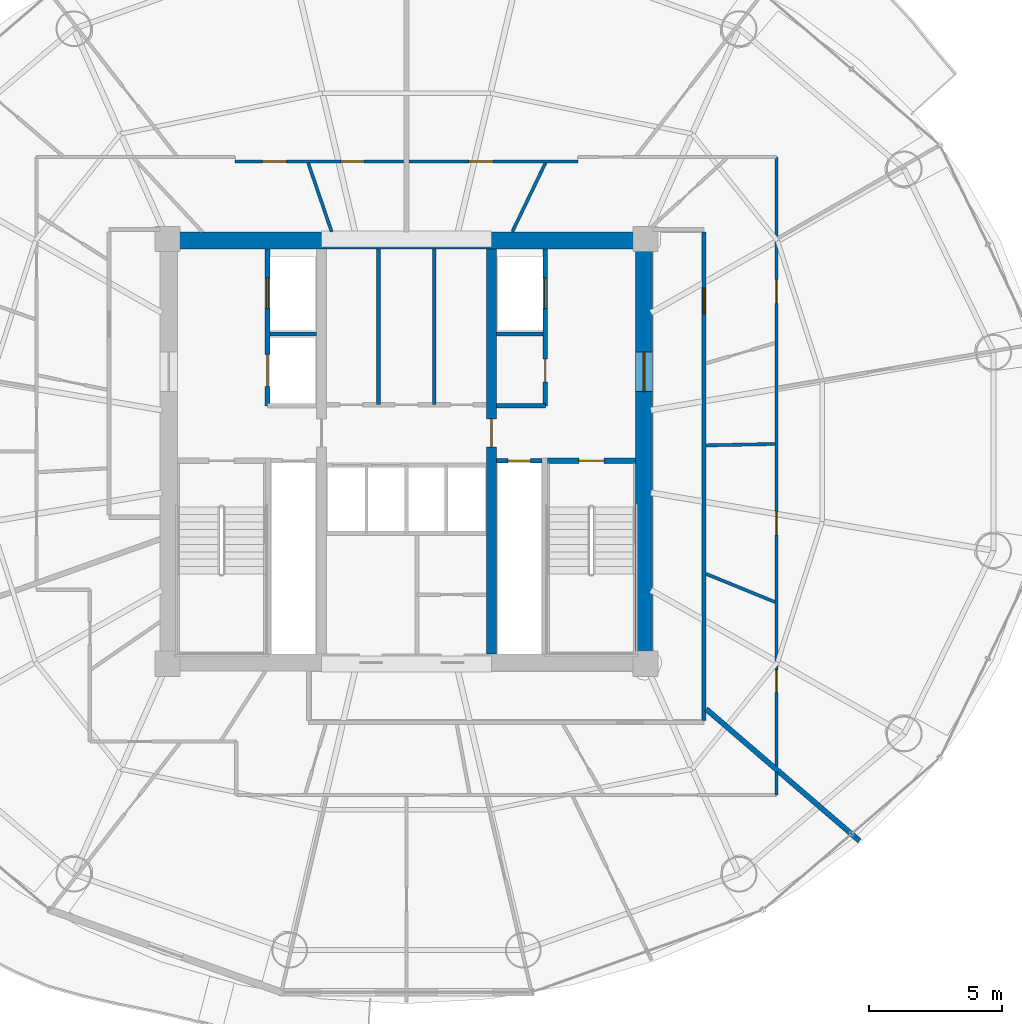
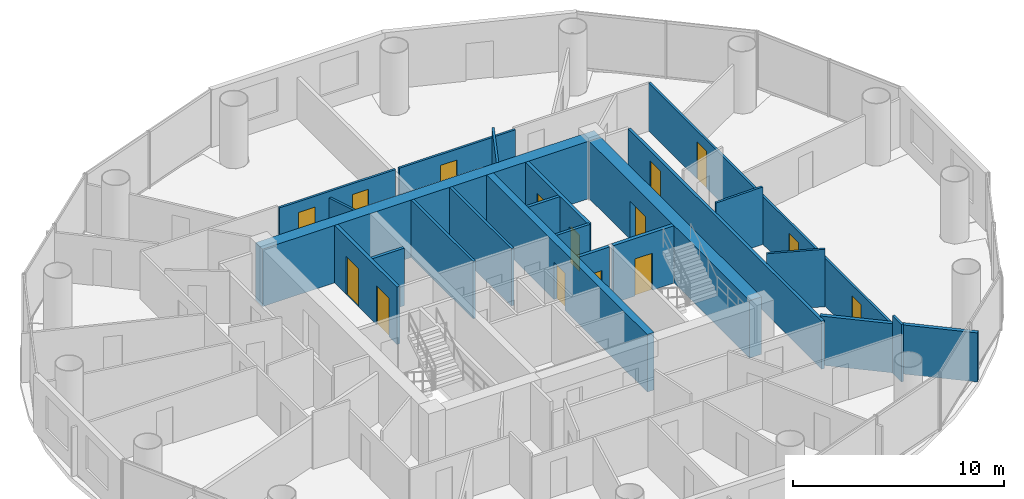
# One storey, part 23 of 27: 22 walls, 15 doors, 15 openings.
"""IFC4 building model written with IfcOpenShell, lengths in metres."""

from ifc_helpers import new_model, si_unit, direction, frame, frame_2d, origin, place, context, subcontext, project, spatial, rectangle, extrude, source, transform, mapped, material, layer, layer_set, type_object, element, fill, save


model = new_model("IFC4")

# Units and contexts
model_context = context("Model", 3, precision=1e-05, world=origin(), true_north=direction((-0.2419218956, 0.970295726276)))
body_context = subcontext(model_context, "Body", "Model", "MODEL_VIEW")
ifc_project = project(units=[si_unit("LENGTHUNIT", "METRE"), si_unit("AREAUNIT", "SQUARE_METRE"), si_unit("VOLUMEUNIT", "CUBIC_METRE"), si_unit("PLANEANGLEUNIT", "RADIAN"), si_unit("MASSUNIT", "GRAM", prefix="KILO")], contexts=[model_context])

# Site, building, storey
site_placement = place(None, origin())
site = spatial("IfcSite", under=ifc_project, at=site_placement, CompositionType="ELEMENT")
building_placement = place(site_placement, origin())
building = spatial("IfcBuilding", under=site, at=building_placement, Name="Cobrevalo Terracotta Tower", CompositionType="ELEMENT")
storey_placement = place(building_placement, frame((0.0, 0.0, 153.39990234375)))
storey = spatial("IfcBuildingStorey", under=building, at=storey_placement, Name="L40", CompositionType="ELEMENT", Elevation=153.39990234375)

# Wall
ifc_material_1 = material(Name="Concrete C55", Category="concrete")
ifc_layer_1 = layer(ifc_material_1, 0.64990234375)
ifc_layer_set_1 = layer_set([ifc_layer_1], Name="Concrete C55")
wall_type_1 = type_object("IfcWallType", Name="Core shear wall 650 mm Concrete C55", PredefinedType="SHEAR", material=ifc_layer_set_1)
wall_1_placement = place(storey_placement, frame((28.72509765625, 34.75, 0.0), z_axis=(0.0, 0.0, 1.0), x_axis=(1.0, 0.0, 0.0)))
element("IfcWall", 1, at=wall_1_placement, inside=storey, type_object=wall_type_1, Name="L40 north core shear wall", PredefinedType="SHEAR", context=body_context, shape_type="SweptSolid", body=[
    extrude(rectangle(XDim=18.5498046875, YDim=0.64990234375, at=frame_2d((9.27490234375, 0.0))), origin(), (0.0, 0.0, 1.0), 3.330078125),
])

# Wall, opening, door
wall_2_placement = place(storey_placement, frame((46.949951171875, 19.175048828125, 0.0), z_axis=(0.0, 0.0, 1.0), x_axis=(0.0, 1.0, 0.0)))
wall_2 = element("IfcWall", 2, at=wall_2_placement, inside=storey, type_object=wall_type_1, Name="L40 east core shear wall", PredefinedType="SHEAR", context=body_context, shape_type="SweptSolid", body=[
    extrude(rectangle(XDim=15.25, YDim=0.64990234375, at=frame_2d((7.625, 0.0))), origin(), (0.0, 0.0, 1.0), 3.330078125),
])
opening_1_placement = place(wall_2_placement, frame((9.875, 0.0, 0.0)))
opening_1 = element("IfcOpeningElement", 3, at=opening_1_placement, cuts=wall_2, Name="Opening ID-14", PredefinedType="OPENING", context=body_context, shape_type="SweptSolid", body=[
    extrude(rectangle(XDim=1.5, YDim=2.199951171875, at=frame_2d((0.75, 1.10009765625))), frame((0.0, 0.3349609375, 0.0), z_axis=(0.0, -1.0, 0.0), x_axis=(1.0, 0.0, 0.0)), (0.0, 0.0, 1.0), 0.669921875),
])
ifc_material_2 = material(Name="Galvanized fire-rated steel", Category="steel")
door_type_1 = type_object("IfcDoorType", Name="Core cross-lobby double fire door 1500x2200 EI 90", OperationType="NOTDEFINED", PredefinedType="DOOR", material=ifc_material_2)
shared_shape_1 = source(origin(), body_context, "Body", "SweptSolid", [
    extrude(rectangle(XDim=1.5, YDim=2.199951171875, at=frame_2d((0.75, 1.10009765625))), frame((0.0, 0.02490234375, 0.0), z_axis=(0.0, -1.0, 0.0), x_axis=(1.0, 0.0, 0.0)), (0.0, 0.0, 1.0), 0.050048828125),
])
door_1_placement = place(opening_1_placement, frame((1.5, 0.0, 0.0), z_axis=(0.0, 0.0, 1.0), x_axis=(-1.0, 0.0, 0.0)))
door_1 = element("IfcDoor", 4, at=door_1_placement, inside=storey, type_object=door_type_1, Name="L40 east firefighting lobby entrance door", OperationType="DOUBLE_DOOR_SINGLE_SWING", OverallHeight=2.199951171875, OverallWidth=1.5, PredefinedType="DOOR", context=body_context, shape_type="MappedRepresentation", body=[
    mapped(shared_shape_1, transform((0.0, 0.0, 0.0), scale=1.0)),
])
fill(opening_1, door_1)

# Walls
ifc_material_3 = material(Name="Gypsum board on steel stud", Category="steel")
ifc_layer_2 = layer(ifc_material_3, 0.159912109375)
ifc_layer_set_2 = layer_set([ifc_layer_2], Name="Gypsum board on steel stud")
wall_type_2 = type_object("IfcWallType", Name="Fire-rated corridor acoustic partition wall 160 mm", PredefinedType="PARTITIONING", material=ifc_layer_set_2)
for number, where, z_axis, x_axis, name in (
    (5, (32.860107421875, 31.219970703125, 0.0), (0.0, 0.0, 1.0), (1.0, 0.0, 0.0), "L40 interior partition IW-L40-FF1-M"),
    (6, (41.389892578125, 31.219970703125, 0.0), (0.0, 0.0, 1.0), (1.0, 0.0, 0.0), "L40 interior partition IW-L40-FF2-M"),
):
    element("IfcWall", number, at=place(storey_placement, frame(where, z_axis=z_axis, x_axis=x_axis)), inside=storey, type_object=wall_type_2, Name=name, PredefinedType="PARTITIONING", context=body_context, shape_type="SweptSolid", body=[
        extrude(rectangle(XDim=1.75, YDim=0.159912109375, at=frame_2d((0.875, 0.0))), origin(), (0.0, 0.0, 1.0), 3.330078125),
    ])
wall_3_placement = place(storey_placement, frame((41.389892578125, 28.52001953125, 0.0), z_axis=(0.0, 0.0, 1.0), x_axis=(1.0, 0.0, 0.0)))
element("IfcWall", 7, at=wall_3_placement, inside=storey, type_object=wall_type_2, Name="L40 interior partition IW-L40-FF2-S", PredefinedType="PARTITIONING", context=body_context, shape_type="SweptSolid", body=[
    extrude(rectangle(XDim=1.840087890625, YDim=0.159912109375, at=frame_2d((0.919921875, 0.0))), origin(), (0.0, 0.0, 1.0), 3.330078125),
])

# Wall, opening, door
wall_4_placement = place(storey_placement, frame((49.205078125, 16.675048828125, 0.0), z_axis=(0.0, 0.0, 1.0), x_axis=(0.0, 1.0, 0.0)))
wall_4 = element("IfcWall", 8, at=wall_4_placement, inside=storey, type_object=wall_type_2, Name="L40 interior partition IW-L40-COR-E", PredefinedType="PARTITIONING", context=body_context, shape_type="SweptSolid", body=[
    extrude(rectangle(XDim=18.39990234375, YDim=0.159912109375, at=frame_2d((9.199951171875, 0.0))), origin(), (0.0, 0.0, 1.0), 2.776123046875),
])
opening_2_placement = place(wall_4_placement, frame((15.298828125, 0.0, 0.0)))
opening_2 = element("IfcOpeningElement", 9, at=opening_2_placement, cuts=wall_4, Name="Opening ID-05", PredefinedType="OPENING", context=body_context, shape_type="SweptSolid", body=[
    extrude(rectangle(XDim=0.97998046875, YDim=2.199951171875, at=frame_2d((0.489990234375, 1.10009765625))), frame((0.0, 0.08984375, 0.0), z_axis=(0.0, -1.0, 0.0), x_axis=(1.0, 0.0, 0.0)), (0.0, 0.0, 1.0), 0.179931640625),
])
ifc_material_4 = material(Name="Solid hardwood timber", Category="wood")
door_type_2 = type_object("IfcDoorType", Name="Residence entrance fire-rated acoustic timber door 980x2200 EI 60", OperationType="NOTDEFINED", PredefinedType="DOOR", material=ifc_material_4)
shared_shape_2 = source(origin(), body_context, "Body", "SweptSolid", [
    extrude(rectangle(XDim=0.97998046875, YDim=2.199951171875, at=frame_2d((0.489990234375, 1.10009765625))), frame((0.0, 0.02490234375, 0.0), z_axis=(0.0, -1.0, 0.0), x_axis=(1.0, 0.0, 0.0)), (0.0, 0.0, 1.0), 0.050048828125),
])
door_2_placement = place(opening_2_placement, frame((0.97998046875, 0.0, 0.0), z_axis=(0.0, 0.0, 1.0), x_axis=(-1.0, 0.0, 0.0)))
door_2 = element("IfcDoor", 10, at=door_2_placement, inside=storey, type_object=door_type_2, Name="Flat L40C fire-rated apartment entrance door", OperationType="SINGLE_SWING_LEFT", OverallHeight=2.199951171875, OverallWidth=0.97998046875, PredefinedType="DOOR", context=body_context, shape_type="MappedRepresentation", body=[
    mapped(shared_shape_2, transform((0.0, 0.0, 0.0), scale=1.0)),
])
fill(opening_2, door_2)

ifc_layer_3 = layer(ifc_material_3, 0.179931640625)
ifc_layer_set_3 = layer_set([ifc_layer_3], Name="Gypsum board on steel stud")
wall_type_3 = type_object("IfcWallType", Name="Fire-rated shaft & lobby acoustic partition wall 180 mm", PredefinedType="PARTITIONING", material=ifc_layer_set_3)
wall_5_placement = place(storey_placement, frame((41.389892578125, 26.449951171875, 0.0), z_axis=(0.0, 0.0, 1.0), x_axis=(1.0, 0.0, 0.0)))
wall_5 = element("IfcWall", 11, at=wall_5_placement, inside=storey, type_object=wall_type_3, Name="L40 interior partition IW-L40-RSE-N", PredefinedType="PARTITIONING", context=body_context, shape_type="SweptSolid", body=[
    extrude(rectangle(XDim=1.710205078125, YDim=0.179931640625, at=frame_2d((0.85498046875, 0.0))), origin(), (0.0, 0.0, 1.0), 3.330078125),
])
opening_3_placement = place(wall_5_placement, frame((0.429931640625, 0.0, 0.0)))
opening_3 = element("IfcOpeningElement", 12, at=opening_3_placement, cuts=wall_5, Name="Opening ID-22", PredefinedType="OPENING", context=body_context, shape_type="SweptSolid", body=[
    extrude(rectangle(XDim=0.85009765625, YDim=2.10009765625, at=frame_2d((0.425048828125, 1.050048828125))), frame((0.0, 0.10009765625, 0.0), z_axis=(0.0, -1.0, 0.0), x_axis=(1.0, 0.0, 0.0)), (0.0, 0.0, 1.0), 0.199951171875),
])
ifc_material_5 = material(Name="Powder-coated steel", Category="steel")
door_type_3 = type_object("IfcDoorType", Name="Riser shaft & meter closet fire access door 850x2100 EI 60", OperationType="NOTDEFINED", PredefinedType="DOOR", material=ifc_material_5)
shared_shape_3 = source(origin(), body_context, "Body", "SweptSolid", [
    extrude(rectangle(XDim=0.85009765625, YDim=2.10009765625, at=frame_2d((0.425048828125, 1.050048828125))), frame((0.0, 0.02490234375, 0.0), z_axis=(0.0, -1.0, 0.0), x_axis=(1.0, 0.0, 0.0)), (0.0, 0.0, 1.0), 0.050048828125),
])
door_3_placement = place(opening_3_placement, origin())
door_3 = element("IfcDoor", 13, at=door_3_placement, inside=storey, type_object=door_type_3, Name="L40 riser access door RSE", OperationType="SINGLE_SWING_RIGHT", OverallHeight=2.10009765625, OverallWidth=0.85009765625, PredefinedType="DOOR", context=body_context, shape_type="MappedRepresentation", body=[
    mapped(shared_shape_3, transform((0.0, 0.0, 0.0), scale=1.0)),
])
fill(opening_3, door_3)

# Wall, openings, doors
wall_6_placement = place(storey_placement, frame((32.77001953125, 28.52001953125, 0.0), z_axis=(0.0, 0.0, 1.0), x_axis=(0.0, 1.0, 0.0)))
wall_6 = element("IfcWall", 14, at=wall_6_placement, inside=storey, type_object=wall_type_3, Name="L40 interior partition IW-L40-FF1-W", PredefinedType="PARTITIONING", context=body_context, shape_type="SweptSolid", body=[
    extrude(rectangle(XDim=5.905029296875, YDim=0.179931640625, at=frame_2d((2.95263671875, 0.0))), origin(), (0.0, 0.0, 1.0), 3.330078125),
])
opening_4_placement = place(wall_6_placement, frame((3.655029296875, 0.0, 0.0)))
opening_4 = element("IfcOpeningElement", 15, at=opening_4_placement, cuts=wall_6, Name="Opening LD-02", PredefinedType="OPENING", context=body_context, shape_type="SweptSolid", body=[
    extrude(rectangle(XDim=1.14990234375, YDim=2.199951171875, at=frame_2d((0.574951171875, 1.10009765625))), frame((0.0, 0.10009765625, 0.0), z_axis=(0.0, -1.0, 0.0), x_axis=(1.0, 0.0, 0.0)), (0.0, 0.0, 1.0), 0.199951171875),
])
opening_5_placement = place(wall_6_placement, frame((0.72998046875, 0.0, 0.0)))
opening_5 = element("IfcOpeningElement", 16, at=opening_5_placement, cuts=wall_6, Name="Opening LD-03", PredefinedType="OPENING", context=body_context, shape_type="SweptSolid", body=[
    extrude(rectangle(XDim=1.199951171875, YDim=2.25, at=frame_2d((0.60009765625, 1.125))), frame((0.0, 0.10009765625, 0.0), z_axis=(0.0, -1.0, 0.0), x_axis=(1.0, 0.0, 0.0)), (0.0, 0.0, 1.0), 0.199951171875),
])
ifc_material_6 = material(Name="Brushed stainless steel", Category="steel")
door_type_4 = type_object("IfcDoorType", Name="Firefighting lift landing bi-parting sliding door 1150x2200 EI 120", OperationType="DOUBLE_DOOR_SLIDING", PredefinedType="DOOR", material=ifc_material_6)
shared_shape_4 = source(origin(), body_context, "Body", "SweptSolid", [
    extrude(rectangle(XDim=1.14990234375, YDim=2.199951171875, at=frame_2d((0.574951171875, 1.10009765625))), frame((0.0, 0.02490234375, 0.0), z_axis=(0.0, -1.0, 0.0), x_axis=(1.0, 0.0, 0.0)), (0.0, 0.0, 1.0), 0.050048828125),
])
door_4_placement = place(opening_4_placement, origin())
door_4 = element("IfcDoor", 17, at=door_4_placement, inside=storey, type_object=door_type_4, Name="L40 lift landing door FF-1", OperationType="DOUBLE_DOOR_SLIDING", OverallHeight=2.199951171875, OverallWidth=1.14990234375, PredefinedType="DOOR", context=body_context, shape_type="MappedRepresentation", body=[
    mapped(shared_shape_4, transform((0.0, 0.0, 0.0), scale=1.0)),
])
fill(opening_4, door_4)
door_type_5 = type_object("IfcDoorType", Name="Service lift landing bi-parting sliding door 1200x2250 EI 120", OperationType="DOUBLE_DOOR_SLIDING", PredefinedType="DOOR", material=ifc_material_6)
shared_shape_5 = source(origin(), body_context, "Body", "SweptSolid", [
    extrude(rectangle(XDim=1.199951171875, YDim=2.25, at=frame_2d((0.60009765625, 1.125))), frame((0.0, 0.02490234375, 0.0), z_axis=(0.0, -1.0, 0.0), x_axis=(1.0, 0.0, 0.0)), (0.0, 0.0, 1.0), 0.050048828125),
])
door_5_placement = place(opening_5_placement, origin())
door_5 = element("IfcDoor", 18, at=door_5_placement, inside=storey, type_object=door_type_5, Name="L40 lift landing door SV-1", OperationType="DOUBLE_DOOR_SLIDING", OverallHeight=2.25, OverallWidth=1.199951171875, PredefinedType="DOOR", context=body_context, shape_type="MappedRepresentation", body=[
    mapped(shared_shape_5, transform((0.0, 0.0, 0.0), scale=1.0)),
])
fill(opening_5, door_5)

wall_7_placement = place(storey_placement, frame((43.22998046875, 28.52001953125, 0.0), z_axis=(0.0, 0.0, 1.0), x_axis=(0.0, 1.0, 0.0)))
wall_7 = element("IfcWall", 19, at=wall_7_placement, inside=storey, type_object=wall_type_3, Name="L40 interior partition IW-L40-FF2-E", PredefinedType="PARTITIONING", context=body_context, shape_type="SweptSolid", body=[
    extrude(rectangle(XDim=5.905029296875, YDim=0.179931640625, at=frame_2d((2.95263671875, 0.0))), origin(), (0.0, 0.0, 1.0), 3.330078125),
])
opening_6_placement = place(wall_7_placement, frame((0.905029296875, 0.0, 0.0)))
opening_6 = element("IfcOpeningElement", 20, at=opening_6_placement, cuts=wall_7, Name="Opening ID-22", PredefinedType="OPENING", context=body_context, shape_type="SweptSolid", body=[
    extrude(rectangle(XDim=0.85009765625, YDim=2.10009765625, at=frame_2d((0.425048828125, 1.050048828125))), frame((0.0, 0.10009765625, 0.0), z_axis=(0.0, -1.0, 0.0), x_axis=(1.0, 0.0, 0.0)), (0.0, 0.0, 1.0), 0.199951171875),
])
opening_7_placement = place(wall_7_placement, frame((3.655029296875, 0.0, 0.0)))
opening_7 = element("IfcOpeningElement", 21, at=opening_7_placement, cuts=wall_7, Name="Opening LD-02", PredefinedType="OPENING", context=body_context, shape_type="SweptSolid", body=[
    extrude(rectangle(XDim=1.14990234375, YDim=2.199951171875, at=frame_2d((0.574951171875, 1.10009765625))), frame((0.0, 0.10009765625, 0.0), z_axis=(0.0, -1.0, 0.0), x_axis=(1.0, 0.0, 0.0)), (0.0, 0.0, 1.0), 0.199951171875),
])
door_6_placement = place(opening_6_placement, frame((0.85009765625, 0.0, 0.0), z_axis=(0.0, 0.0, 1.0), x_axis=(-1.0, 0.0, 0.0)))
door_6 = element("IfcDoor", 22, at=door_6_placement, inside=storey, type_object=door_type_3, Name="L40 housekeeping store door", OperationType="SINGLE_SWING_RIGHT", OverallHeight=2.10009765625, OverallWidth=0.85009765625, PredefinedType="DOOR", context=body_context, shape_type="MappedRepresentation", body=[
    mapped(shared_shape_3, transform((0.0, 0.0, 0.0), scale=1.0)),
])
fill(opening_6, door_6)
door_7_placement = place(opening_7_placement, origin())
door_7 = element("IfcDoor", 23, at=door_7_placement, inside=storey, type_object=door_type_4, Name="L40 lift landing door FF-2", OperationType="DOUBLE_DOOR_SLIDING", OverallHeight=2.199951171875, OverallWidth=1.14990234375, PredefinedType="DOOR", context=body_context, shape_type="MappedRepresentation", body=[
    mapped(shared_shape_4, transform((0.0, 0.0, 0.0), scale=1.0)),
])
fill(opening_7, door_7)

# Wall
ifc_material_7 = material(Name="Autoclaved aerated concrete block", Category="concrete")
ifc_layer_4 = layer(ifc_material_7, 0.199951171875)
ifc_layer_set_4 = layer_set([ifc_layer_4], Name="Autoclaved aerated concrete block")
wall_type_4 = type_object("IfcWallType", Name="Fire-rated stair, shaft & demising masonry wall 200 mm", PredefinedType="PARTITIONING", material=ifc_layer_set_4)
wall_8_placement = place(storey_placement, frame((49.28662109375, 17.09912109375, 0.0), z_axis=(0.0, 0.0, 1.0), x_axis=(0.758362300646, -0.651833276965, 0.0)))
element("IfcWall", 24, at=wall_8_placement, inside=storey, type_object=wall_type_4, Name="L40 interior partition IW-L40-DEM-3", PredefinedType="PARTITIONING", context=body_context, shape_type="SweptSolid", body=[
    extrude(rectangle(XDim=7.617919921875, YDim=0.199951171875, at=frame_2d((3.80908203125, 0.0))), origin(), (0.0, 0.0, 1.0), 2.84619140625),
])

# Wall, opening, door
ifc_material_8 = material(Name="Concrete C50", Category="concrete")
ifc_layer_5 = layer(ifc_material_8, 0.3798828125)
ifc_layer_set_5 = layer_set([ifc_layer_5], Name="Concrete C50")
wall_type_5 = type_object("IfcWallType", Name="Internal core shear web wall 380 mm Concrete C50", PredefinedType="SHEAR", material=ifc_layer_set_5)
wall_9_placement = place(storey_placement, frame((41.199951171875, 19.175048828125, 0.0), z_axis=(0.0, 0.0, 1.0), x_axis=(0.0, 1.0, 0.0)))
wall_9 = element("IfcWall", 25, at=wall_9_placement, inside=storey, type_object=wall_type_5, Name="L40 internal core shear wall WEB-E", PredefinedType="SHEAR", context=body_context, shape_type="SweptSolid", body=[
    extrude(rectangle(XDim=15.25, YDim=0.3798828125, at=frame_2d((7.625, 0.0))), origin(), (0.0, 0.0, 1.0), 3.330078125),
])
opening_8_placement = place(wall_9_placement, frame((7.800048828125, 0.0, 0.0)))
opening_8 = element("IfcOpeningElement", 26, at=opening_8_placement, cuts=wall_9, Name="Opening ID-11", PredefinedType="OPENING", context=body_context, shape_type="SweptSolid", body=[
    extrude(rectangle(XDim=1.050048828125, YDim=2.14990234375, at=frame_2d((0.52490234375, 1.074951171875))), frame((0.0, 0.199951171875, 0.0), z_axis=(0.0, -1.0, 0.0), x_axis=(1.0, 0.0, 0.0)), (0.0, 0.0, 1.0), 0.39990234375),
])
door_type_6 = type_object("IfcDoorType", Name="Core concourse cross fire door 1050x2150 EI 90", OperationType="NOTDEFINED", PredefinedType="DOOR", material=ifc_material_2)
shared_shape_6 = source(origin(), body_context, "Body", "SweptSolid", [
    extrude(rectangle(XDim=1.050048828125, YDim=2.14990234375, at=frame_2d((0.52490234375, 1.074951171875))), frame((0.0, 0.02490234375, 0.0), z_axis=(0.0, -1.0, 0.0), x_axis=(1.0, 0.0, 0.0)), (0.0, 0.0, 1.0), 0.050048828125),
])
door_8_placement = place(opening_8_placement, frame((1.050048828125, 0.0, 0.0), z_axis=(0.0, 0.0, 1.0), x_axis=(-1.0, 0.0, 0.0)))
door_8 = element("IfcDoor", 27, at=door_8_placement, inside=storey, type_object=door_type_6, Name="L40 east core concourse cross door", OperationType="SINGLE_SWING_RIGHT", OverallHeight=2.14990234375, OverallWidth=1.050048828125, PredefinedType="DOOR", context=body_context, shape_type="MappedRepresentation", body=[
    mapped(shared_shape_6, transform((0.0, 0.0, 0.0), scale=1.0)),
])
fill(opening_8, door_8)

# Walls
ifc_layer_6 = layer(ifc_material_7, 0.139892578125)
ifc_layer_set_6 = layer_set([ifc_layer_6], Name="Autoclaved aerated concrete block")
wall_type_6 = type_object("IfcWallType", Name="Moisture-resistant wet-room & core service partition 140 mm", PredefinedType="PARTITIONING", material=ifc_layer_set_6)
for number, where, z_axis, x_axis, name in (
    (28, (36.949951171875, 28.56005859375, 0.0), (0.0, 0.0, 1.0), (0.0, 1.0, 0.0), "L40 interior partition IW-L40-KVN-A"),
    (29, (39.050048828125, 28.56005859375, 0.0), (0.0, 0.0, 1.0), (0.0, 1.0, 0.0), "L40 interior partition IW-L40-KVN-B"),
):
    element("IfcWall", number, at=place(storey_placement, frame(where, z_axis=z_axis, x_axis=x_axis)), inside=storey, type_object=wall_type_6, Name=name, PredefinedType="PARTITIONING", context=body_context, shape_type="SweptSolid", body=[
        extrude(rectangle(XDim=5.864990234375, YDim=0.139892578125, at=frame_2d((2.9326171875, 0.0))), origin(), (0.0, 0.0, 1.0), 3.330078125),
    ])

# Wall, openings, doors
ifc_layer_7 = layer(ifc_material_3, 0.1201171875)
ifc_layer_set_7 = layer_set([ifc_layer_7], Name="Gypsum board on steel stud")
wall_type_7 = type_object("IfcWallType", Name="Residential internal acoustic stud partition 120 mm", PredefinedType="PARTITIONING", material=ifc_layer_set_7)
wall_10_placement = place(storey_placement, frame((31.534912109375, 37.72509765625, 0.0), z_axis=(0.0, 0.0, 1.0), x_axis=(1.0, 0.0, 0.0)))
wall_10 = element("IfcWall", 30, at=wall_10_placement, inside=storey, type_object=wall_type_7, Name="L40 interior partition IW-L40-U1-RING3_0", PredefinedType="PARTITIONING", context=body_context, shape_type="SweptSolid", body=[
    extrude(rectangle(XDim=6.363037109375, YDim=0.1201171875, at=frame_2d((3.181640625, 0.0))), origin(), (0.0, 0.0, 1.0), 2.776123046875),
])
opening_9_placement = place(wall_10_placement, frame((4.004150390625, 0.0, 0.0)))
opening_9 = element("IfcOpeningElement", 31, at=opening_9_placement, cuts=wall_10, Name="Opening ID-19", PredefinedType="OPENING", context=body_context, shape_type="SweptSolid", body=[
    extrude(rectangle(XDim=0.860107421875, YDim=2.14990234375, at=frame_2d((0.43017578125, 1.074951171875))), frame((0.0, 0.070068359375, 0.0), z_axis=(0.0, -1.0, 0.0), x_axis=(1.0, 0.0, 0.0)), (0.0, 0.0, 1.0), 0.14013671875),
])
opening_10_placement = place(wall_10_placement, frame((1.04931640625, 0.0, 0.0)))
opening_10 = element("IfcOpeningElement", 32, at=opening_10_placement, cuts=wall_10, Name="Opening ID-12", PredefinedType="OPENING", context=body_context, shape_type="SweptSolid", body=[
    extrude(rectangle(XDim=0.89990234375, YDim=2.14990234375, at=frame_2d((0.449951171875, 1.074951171875))), frame((0.0, 0.070068359375, 0.0), z_axis=(0.0, -1.0, 0.0), x_axis=(1.0, 0.0, 0.0)), (0.0, 0.0, 1.0), 0.14013671875),
])
ifc_material_9 = material(Name="Moisture-sealed timber", Category="wood")
door_type_7 = type_object("IfcDoorType", Name="Suite bathroom internal timber door 860x2150", OperationType="NOTDEFINED", PredefinedType="DOOR", material=ifc_material_9)
shared_shape_7 = source(origin(), body_context, "Body", "SweptSolid", [
    extrude(rectangle(XDim=0.860107421875, YDim=2.14990234375, at=frame_2d((0.43017578125, 1.074951171875))), frame((0.0, 0.02490234375, 0.0), z_axis=(0.0, -1.0, 0.0), x_axis=(1.0, 0.0, 0.0)), (0.0, 0.0, 1.0), 0.050048828125),
])
door_9_placement = place(opening_9_placement, frame((0.860107421875, 0.0, 0.0), z_axis=(0.0, 0.0, 1.0), x_axis=(-1.0, 0.0, 0.0)))
door_9 = element("IfcDoor", 33, at=door_9_placement, inside=storey, type_object=door_type_7, Name="Flat L40A Guest Bathroom internal door", OperationType="SINGLE_SWING_LEFT", OverallHeight=2.14990234375, OverallWidth=0.860107421875, PredefinedType="DOOR", context=body_context, shape_type="MappedRepresentation", body=[
    mapped(shared_shape_7, transform((0.0, 0.0, 0.0), scale=1.0)),
])
fill(opening_9, door_9)
ifc_material_10 = material(Name="Engineered timber", Category="wood")
door_type_8 = type_object("IfcDoorType", Name="Internal residence & suite timber door 900x2150", OperationType="NOTDEFINED", PredefinedType="DOOR", material=ifc_material_10)
shared_shape_8 = source(origin(), body_context, "Body", "SweptSolid", [
    extrude(rectangle(XDim=0.89990234375, YDim=2.14990234375, at=frame_2d((0.449951171875, 1.074951171875))), frame((0.0, 0.02490234375, 0.0), z_axis=(0.0, -1.0, 0.0), x_axis=(1.0, 0.0, 0.0)), (0.0, 0.0, 1.0), 0.050048828125),
])
door_10_placement = place(opening_10_placement, frame((0.89990234375, 0.0, 0.0), z_axis=(0.0, 0.0, 1.0), x_axis=(-1.0, 0.0, 0.0)))
door_10 = element("IfcDoor", 34, at=door_10_placement, inside=storey, type_object=door_type_8, Name="Flat L40A Utility Closet internal door", OperationType="SINGLE_SWING_RIGHT", OverallHeight=2.14990234375, OverallWidth=0.89990234375, PredefinedType="DOOR", context=body_context, shape_type="MappedRepresentation", body=[
    mapped(shared_shape_8, transform((0.0, 0.0, 0.0), scale=1.0)),
])
fill(opening_10, door_10)

# Walls
wall_11_placement = place(storey_placement, frame((35.182373046875, 35.074951171875, 0.0), z_axis=(0.0, 0.0, 1.0), x_axis=(-0.322321614946, 0.946630221649, 0.0)))
element("IfcWall", 35, at=wall_11_placement, inside=storey, type_object=wall_type_7, Name="L40 interior partition IW-L40-U1-IRAD1", PredefinedType="PARTITIONING", context=body_context, shape_type="SweptSolid", body=[
    extrude(rectangle(XDim=2.7373046875, YDim=0.1201171875, at=frame_2d((1.36865234375, 0.0))), origin(), (0.0, 0.0, 1.0), 2.4150390625),
])
wall_12_placement = place(storey_placement, frame((51.93505859375, 14.720703125, 0.0), z_axis=(0.0, 0.0, 1.0), x_axis=(0.0, -1.0, 0.0)))
element("IfcWall", 36, at=wall_12_placement, inside=storey, type_object=wall_type_7, Name="L40 interior partition IW-L40-U2-RING0_0", PredefinedType="PARTITIONING", context=body_context, shape_type="SweptSolid", body=[
    extrude(rectangle(XDim=0.855712890625, YDim=0.1201171875, at=frame_2d((0.427734375, 0.0))), origin(), (0.0, 0.0, 1.0), 3.330078125),
])

# Wall, opening, door
wall_13_placement = place(storey_placement, frame((38.10205078125, 37.72509765625, 0.0), z_axis=(0.0, 0.0, 1.0), x_axis=(1.0, 0.0, 0.0)))
wall_13 = element("IfcWall", 37, at=wall_13_placement, inside=storey, type_object=wall_type_7, Name="L40 interior partition IW-L40-U3-RING0_0", PredefinedType="PARTITIONING", context=body_context, shape_type="SweptSolid", body=[
    extrude(rectangle(XDim=6.363037109375, YDim=0.1201171875, at=frame_2d((3.181640625, 0.0))), origin(), (0.0, 0.0, 1.0), 2.776123046875),
])
opening_11_placement = place(wall_13_placement, frame((2.25146484375, 0.0, 0.0)))
opening_11 = element("IfcOpeningElement", 38, at=opening_11_placement, cuts=wall_13, Name="Opening ID-12", PredefinedType="OPENING", context=body_context, shape_type="SweptSolid", body=[
    extrude(rectangle(XDim=0.89990234375, YDim=2.14990234375, at=frame_2d((0.449951171875, 1.074951171875))), frame((0.0, 0.070068359375, 0.0), z_axis=(0.0, -1.0, 0.0), x_axis=(1.0, 0.0, 0.0)), (0.0, 0.0, 1.0), 0.14013671875),
])
door_11_placement = place(opening_11_placement, frame((0.89990234375, 0.0, 0.0), z_axis=(0.0, 0.0, 1.0), x_axis=(-1.0, 0.0, 0.0)))
door_11 = element("IfcDoor", 39, at=door_11_placement, inside=storey, type_object=door_type_8, Name="Flat L40C Private Library Meeting Room internal door", OperationType="SINGLE_SWING_LEFT", OverallHeight=2.14990234375, OverallWidth=0.89990234375, PredefinedType="DOOR", context=body_context, shape_type="MappedRepresentation", body=[
    mapped(shared_shape_8, transform((0.0, 0.0, 0.0), scale=1.0)),
])
fill(opening_11, door_11)

# Wall, openings, doors
wall_14_placement = place(storey_placement, frame((51.93505859375, 37.885009765625, 0.0), z_axis=(0.0, 0.0, 1.0), x_axis=(0.0, -1.0, 0.0)))
wall_14 = element("IfcWall", 40, at=wall_14_placement, inside=storey, type_object=wall_type_7, Name="L40 interior partition IW-L40-U3-RING3_0", PredefinedType="PARTITIONING", context=body_context, shape_type="SweptSolid", body=[
    extrude(rectangle(XDim=22.960205078125, YDim=0.1201171875, at=frame_2d((11.47998046875, 0.0))), origin(), (0.0, 0.0, 1.0), 2.776123046875),
])
opening_12_placement = place(wall_14_placement, frame((4.60986328125, 0.0, 0.0)))
opening_12 = element("IfcOpeningElement", 41, at=opening_12_placement, cuts=wall_14, Name="Opening ID-12", PredefinedType="OPENING", context=body_context, shape_type="SweptSolid", body=[
    extrude(rectangle(XDim=0.89990234375, YDim=2.14990234375, at=frame_2d((0.449951171875, 1.074951171875))), frame((0.0, 0.070068359375, 0.0), z_axis=(0.0, -1.0, 0.0), x_axis=(1.0, 0.0, 0.0)), (0.0, 0.0, 1.0), 0.14013671875),
])
opening_13_placement = place(wall_14_placement, frame((19.309814453125, 0.0, 0.0)))
opening_13 = element("IfcOpeningElement", 42, at=opening_13_placement, cuts=wall_14, Name="Opening ID-19", PredefinedType="OPENING", context=body_context, shape_type="SweptSolid", body=[
    extrude(rectangle(XDim=0.860107421875, YDim=2.14990234375, at=frame_2d((0.43017578125, 1.074951171875))), frame((0.0, 0.070068359375, 0.0), z_axis=(0.0, -1.0, 0.0), x_axis=(1.0, 0.0, 0.0)), (0.0, 0.0, 1.0), 0.14013671875),
])
opening_14_placement = place(wall_14_placement, frame((13.3408203125, 0.0, 0.0)))
opening_14 = element("IfcOpeningElement", 43, at=opening_14_placement, cuts=wall_14, Name="Opening ID-12", PredefinedType="OPENING", context=body_context, shape_type="SweptSolid", body=[
    extrude(rectangle(XDim=0.89990234375, YDim=2.14990234375, at=frame_2d((0.449951171875, 1.074951171875))), frame((0.0, 0.070068359375, 0.0), z_axis=(0.0, -1.0, 0.0), x_axis=(1.0, 0.0, 0.0)), (0.0, 0.0, 1.0), 0.14013671875),
])
door_12_placement = place(opening_13_placement, frame((0.860107421875, 0.0, 0.0), z_axis=(0.0, 0.0, 1.0), x_axis=(-1.0, 0.0, 0.0)))
door_12 = element("IfcDoor", 44, at=door_12_placement, inside=storey, type_object=door_type_7, Name="Flat L40C Guest Bathroom internal door", OperationType="SINGLE_SWING_LEFT", OverallHeight=2.14990234375, OverallWidth=0.860107421875, PredefinedType="DOOR", context=body_context, shape_type="MappedRepresentation", body=[
    mapped(shared_shape_7, transform((0.0, 0.0, 0.0), scale=1.0)),
])
fill(opening_13, door_12)
door_13_placement = place(opening_12_placement, origin())
door_13 = element("IfcDoor", 45, at=door_13_placement, inside=storey, type_object=door_type_8, Name="Flat L40C Master Bedroom internal door", OperationType="SINGLE_SWING_RIGHT", OverallHeight=2.14990234375, OverallWidth=0.89990234375, PredefinedType="DOOR", context=body_context, shape_type="MappedRepresentation", body=[
    mapped(shared_shape_8, transform((0.0, 0.0, 0.0), scale=1.0)),
])
fill(opening_12, door_13)
door_14_placement = place(opening_14_placement, frame((0.89990234375, 0.0, 0.0), z_axis=(0.0, 0.0, 1.0), x_axis=(-1.0, 0.0, 0.0)))
door_14 = element("IfcDoor", 46, at=door_14_placement, inside=storey, type_object=door_type_8, Name="Flat L40C Utility Closet internal door", OperationType="SINGLE_SWING_RIGHT", OverallHeight=2.14990234375, OverallWidth=0.89990234375, PredefinedType="DOOR", context=body_context, shape_type="MappedRepresentation", body=[
    mapped(shared_shape_8, transform((0.0, 0.0, 0.0), scale=1.0)),
])
fill(opening_14, door_14)

# Walls
wall_15_placement = place(storey_placement, frame((49.286865234375, 22.1884765625, 0.0), z_axis=(0.0, 0.0, 1.0), x_axis=(0.925708058909, -0.378238799796, 0.0)))
element("IfcWall", 47, at=wall_15_placement, inside=storey, type_object=wall_type_7, Name="L40 interior partition IW-L40-U3-IRAD1", PredefinedType="PARTITIONING", context=body_context, shape_type="SweptSolid", body=[
    extrude(rectangle(XDim=2.798828125, YDim=0.1201171875, at=frame_2d((1.3994140625, 0.0))), origin(), (0.0, 0.0, 1.0), 3.330078125),
])
wall_16_placement = place(storey_placement, frame((49.287109375, 27.028564453125, 0.0), z_axis=(0.0, 0.0, 1.0), x_axis=(0.999794052369, 0.020294157974, 0.0)))
element("IfcWall", 48, at=wall_16_placement, inside=storey, type_object=wall_type_7, Name="L40 interior partition IW-L40-U3-IRAD2", PredefinedType="PARTITIONING", context=body_context, shape_type="SweptSolid", body=[
    extrude(rectangle(XDim=2.58642578125, YDim=0.1201171875, at=frame_2d((1.293212890625, 0.0))), origin(), (0.0, 0.0, 1.0), 3.330078125),
])
wall_17_placement = place(storey_placement, frame((41.98779296875, 35.074951171875, 0.0), z_axis=(0.0, 0.0, 1.0), x_axis=(0.434144408634, 0.900843289619, 0.0)))
element("IfcWall", 49, at=wall_17_placement, inside=storey, type_object=wall_type_7, Name="L40 interior partition IW-L40-U3-IRAD5", PredefinedType="PARTITIONING", context=body_context, shape_type="SweptSolid", body=[
    extrude(rectangle(XDim=2.8798828125, YDim=0.1201171875, at=frame_2d((1.43994140625, 0.0))), origin(), (0.0, 0.0, 1.0), 3.330078125),
])

# Wall, opening, door
ifc_layer_8 = layer(ifc_material_8, 0.199951171875)
ifc_layer_set_8 = layer_set([ifc_layer_8], Name="Concrete C50")
wall_type_8 = type_object("IfcWallType", Name="Structural core & podium stair-shaft RC wall 200 mm Concrete C50", PredefinedType="SOLIDWALL", material=ifc_layer_set_8)
wall_18_placement = place(storey_placement, frame((43.304931640625, 26.449951171875, 0.0), z_axis=(0.0, 0.0, 1.0), x_axis=(1.0, 0.0, 0.0)))
wall_18 = element("IfcWall", 50, at=wall_18_placement, inside=storey, type_object=wall_type_8, Name="L40 ST-2 north structural shaft wall", PredefinedType="SOLIDWALL", context=body_context, shape_type="SweptSolid", body=[
    extrude(rectangle(XDim=3.320068359375, YDim=0.199951171875, at=frame_2d((1.66015625, 0.0))), origin(), (0.0, 0.0, 1.0), 3.330078125),
])
opening_15_placement = place(wall_18_placement, frame((1.18505859375, 0.0, 0.0)))
opening_15 = element("IfcOpeningElement", 51, at=opening_15_placement, cuts=wall_18, Name="Opening ID-04", PredefinedType="OPENING", context=body_context, shape_type="SweptSolid", body=[
    extrude(rectangle(XDim=0.949951171875, YDim=2.14990234375, at=frame_2d((0.47509765625, 1.074951171875))), frame((0.0, 0.10986328125, 0.0), z_axis=(0.0, -1.0, 0.0), x_axis=(1.0, 0.0, 0.0)), (0.0, 0.0, 1.0), 0.219970703125),
])
door_type_9 = type_object("IfcDoorType", Name="Stair & firefighting lobby fire door 950x2150 EI 90", OperationType="NOTDEFINED", PredefinedType="DOOR", material=ifc_material_2)
shared_shape_9 = source(origin(), body_context, "Body", "SweptSolid", [
    extrude(rectangle(XDim=0.949951171875, YDim=2.14990234375, at=frame_2d((0.47509765625, 1.074951171875))), frame((0.0, 0.02490234375, 0.0), z_axis=(0.0, -1.0, 0.0), x_axis=(1.0, 0.0, 0.0)), (0.0, 0.0, 1.0), 0.050048828125),
])
door_15_placement = place(opening_15_placement, frame((0.949951171875, 0.0, 0.0), z_axis=(0.0, 0.0, 1.0), x_axis=(-1.0, 0.0, 0.0)))
door_15 = element("IfcDoor", 52, at=door_15_placement, inside=storey, type_object=door_type_9, Name="L40 protected stair ST2 fire door", OperationType="SINGLE_SWING_RIGHT", OverallHeight=2.14990234375, OverallWidth=0.949951171875, PredefinedType="DOOR", context=body_context, shape_type="MappedRepresentation", body=[
    mapped(shared_shape_9, transform((0.0, 0.0, 0.0), scale=1.0)),
])
fill(opening_15, door_15)

save(model, "model.ifc")
